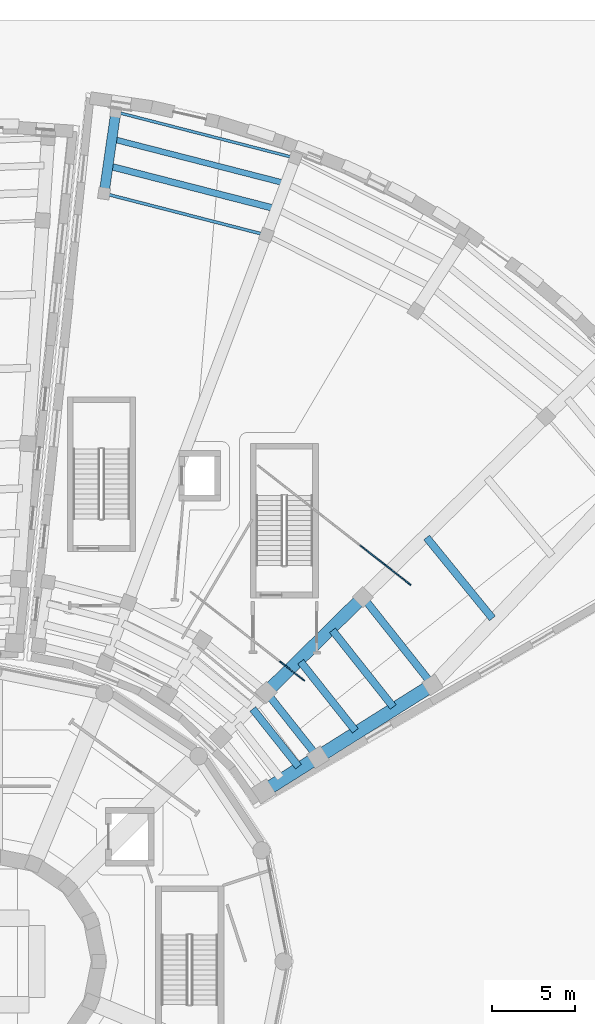
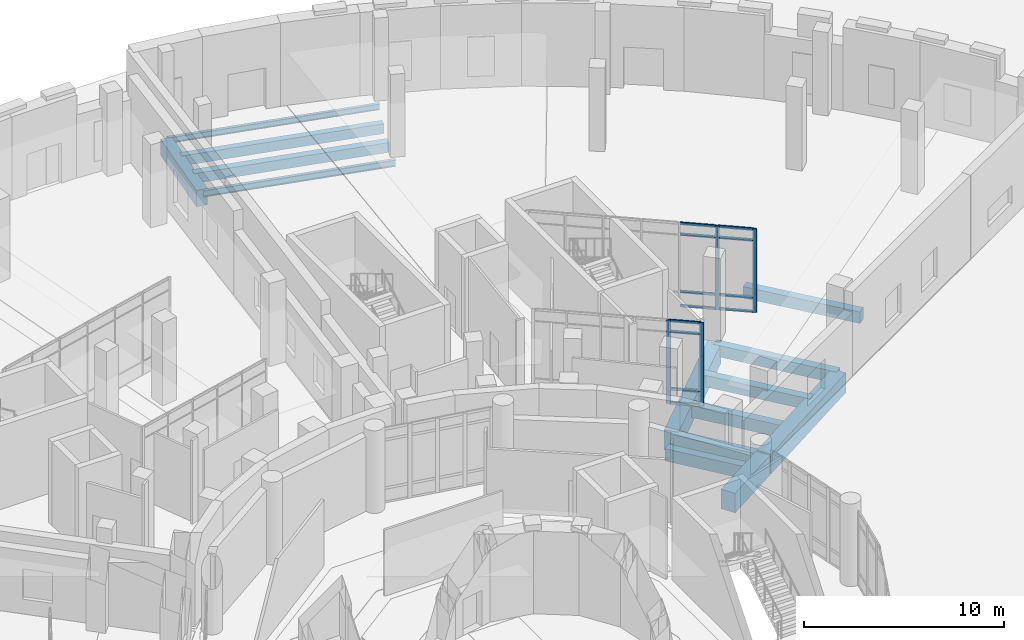
# One storey, part 27 of 74: 16 members, 14 beams, 2 elements without a shape of their own.
"""IFC4 building model written with IfcOpenShell, lengths in metres."""

from ifc_helpers import new_model, si_unit, direction, frame, origin, origin_2d, place, context, subcontext, project, spatial, rectangle, i_section, extrude, material, material_profile, profile_set, type_object, element, aggregate, save


model = new_model("IFC4")

# Units and contexts
model_context = context("Model", 3, precision=1e-05, world=origin(), true_north=direction((0.0, 1.0)))
body_context = subcontext(model_context, "Body", "Model", "MODEL_VIEW")
ifc_project = project(units=[si_unit("LENGTHUNIT", "METRE"), si_unit("AREAUNIT", "SQUARE_METRE"), si_unit("VOLUMEUNIT", "CUBIC_METRE"), si_unit("PLANEANGLEUNIT", "RADIAN"), si_unit("MASSUNIT", "GRAM", prefix="KILO")], contexts=[model_context])

# Site, building, storey
site_placement = place(None, origin())
site = spatial("IfcSite", under=ifc_project, at=site_placement, CompositionType="ELEMENT")
building_placement = place(site_placement, origin())
building = spatial("IfcBuilding", under=site, at=building_placement, Name="Soyqirgoq Riverine Aquarium", CompositionType="ELEMENT")
storey_placement = place(building_placement, origin())
storey = spatial("IfcBuildingStorey", under=building, at=storey_placement, Name="L01", CompositionType="ELEMENT", Elevation=0.0)

# Beams
ifc_material_1 = material(Name="Concrete C40/50", Category="concrete")
ifc_material_profile_1 = material_profile(ifc_material_1, rectangle(XDim=0.35009765625, YDim=0.60009765625, at=origin_2d()), Name="RC 350x600")
ifc_profile_set_1 = profile_set([ifc_material_profile_1], Name="Concrete C40/50")
beam_type_1 = type_object("IfcBeamType", Name="Beam_RC_350x600", PredefinedType="JOIST", material=ifc_profile_set_1)
beam_1_placement = place(storey_placement, frame((73.444580078125, 103.806396484375, -0.64990234375), z_axis=(-0.968580573977, 0.248699963237, 0.0), x_axis=(-0.248699963237, -0.968580573977, 0.0)))
element("IfcBeam", 1, at=beam_1_placement, inside=storey, type_object=beam_type_1, Name="V5 L01 Secondary Floor Joist 0793", PredefinedType="JOIST", context=body_context, shape_type="SweptSolid", body=[
    extrude(rectangle(XDim=0.35009765625, YDim=0.60009765625, at=origin_2d()), origin(), (0.0, 0.0, 1.0), 10.5126953125),
])
ifc_material_2 = material(Name="Concrete C40/50", Category="concrete")
ifc_material_profile_2 = material_profile(ifc_material_2, rectangle(XDim=0.39990234375, YDim=0.60009765625, at=origin_2d()), Name="RC 400x600")
ifc_profile_set_2 = profile_set([ifc_material_profile_2], Name="Concrete C40/50")
beam_type_2 = type_object("IfcBeamType", Name="Beam_RC_400x600", PredefinedType="JOIST", material=ifc_profile_set_2)
beam_2_placement = place(storey_placement, frame((72.869873046875, 102.27734375, -0.64990234375), z_axis=(-0.968577827691, 0.24871065861, 0.0), x_axis=(-0.24871065861, -0.968577827691, 0.0)))
element("IfcBeam", 2, at=beam_2_placement, inside=storey, type_object=beam_type_2, Name="V5 L01 Secondary Floor Joist 0792", PredefinedType="JOIST", context=body_context, shape_type="SweptSolid", body=[
    extrude(rectangle(XDim=0.39990234375, YDim=0.60009765625, at=origin_2d()), origin(), (0.0, 0.0, 1.0), 10.159912109375),
])
ifc_material_3 = material(Name="Concrete C40/50", Category="concrete")
ifc_material_profile_3 = material_profile(ifc_material_3, rectangle(XDim=0.449951171875, YDim=0.699951171875, at=origin_2d()), Name="RC 450x700")
ifc_profile_set_3 = profile_set([ifc_material_profile_3], Name="Concrete C40/50")
beam_type_3 = type_object("IfcBeamType", Name="Beam_RC_450x700", PredefinedType="BEAM", material=ifc_profile_set_3)
beam_3_placement = place(storey_placement, frame((80.038330078125, 72.30224609375, -0.699951171875), z_axis=(-0.621137956327, 0.783701243593, 0.0), x_axis=(-0.783701243593, -0.621137956327, 0.0)))
element("IfcBeam", 3, at=beam_3_placement, inside=storey, type_object=beam_type_3, Name="V5 L01 Secondary Floor Joist 0778", PredefinedType="BEAM", context=body_context, shape_type="SweptSolid", body=[
    extrude(rectangle(XDim=0.449951171875, YDim=0.699951171875, at=origin_2d()), origin(), (0.0, 0.0, 1.0), 5.878173828125),
])
beam_4_placement = place(storey_placement, frame((82.3701171875, 73.664794921875, -0.699951171875), z_axis=(-0.621132353324, 0.783705684332, 0.0), x_axis=(-0.783705684332, -0.621132353324, 0.0)))
element("IfcBeam", 4, at=beam_4_placement, inside=storey, type_object=beam_type_3, Name="V5 L01 Wedge Chord Beam 0779", PredefinedType="BEAM", context=body_context, shape_type="SweptSolid", body=[
    extrude(rectangle(XDim=0.449951171875, YDim=0.699951171875, at=origin_2d()), origin(), (0.0, 0.0, 1.0), 6.63916015625),
])
beam_5_placement = place(storey_placement, frame((86.00341796875, 77.626953125, -0.699951171875), z_axis=(-0.631614001709, 0.775283014676, 0.0), x_axis=(-0.775283014676, -0.631614001709, 0.0)))
element("IfcBeam", 5, at=beam_5_placement, inside=storey, type_object=beam_type_3, Name="V5 L01 Secondary Floor Joist 0780", PredefinedType="BEAM", context=body_context, shape_type="SweptSolid", body=[
    extrude(rectangle(XDim=0.449951171875, YDim=0.699951171875, at=origin_2d()), origin(), (0.0, 0.0, 1.0), 6.268798828125),
])
ifc_material_4 = material(Name="Concrete C40/50", Category="concrete")
ifc_material_profile_4 = material_profile(ifc_material_4, rectangle(XDim=0.449951171875, YDim=0.75, at=origin_2d()), Name="RC 450x750")
ifc_profile_set_4 = profile_set([ifc_material_profile_4], Name="Concrete C40/50")
beam_type_4 = type_object("IfcBeamType", Name="Beam_RC_450x750", PredefinedType="BEAM", material=ifc_profile_set_4)
beam_6_placement = place(storey_placement, frame((74.3427734375, 68.715576171875, -0.72509765625), z_axis=(-0.621169249928, 0.783676440213, 0.0), x_axis=(-0.783676440213, -0.621169249928, 0.0)))
element("IfcBeam", 6, at=beam_6_placement, inside=storey, type_object=beam_type_4, Name="V5 L01 Secondary Floor Joist 0766", PredefinedType="BEAM", context=body_context, shape_type="SweptSolid", body=[
    extrude(rectangle(XDim=0.449951171875, YDim=0.75, at=origin_2d()), origin(), (0.0, 0.0, 1.0), 4.42431640625),
])
beam_7_placement = place(storey_placement, frame((75.4736328125, 69.322021484375, -0.72509765625), z_axis=(-0.62112455544, 0.783711864546, 0.0), x_axis=(-0.783711864546, -0.62112455544, 0.0)))
element("IfcBeam", 7, at=beam_7_placement, inside=storey, type_object=beam_type_4, Name="V5 L01 Wedge Chord Beam 0773", PredefinedType="BEAM", context=body_context, shape_type="SweptSolid", body=[
    extrude(rectangle(XDim=0.449951171875, YDim=0.75, at=origin_2d()), origin(), (0.0, 0.0, 1.0), 4.878662109375),
])
beam_8_placement = place(storey_placement, frame((77.7626953125, 70.869140625, -0.72509765625), z_axis=(-0.621170302236, 0.783675606115, 0.0), x_axis=(-0.783675606115, -0.621170302236, 0.0)))
element("IfcBeam", 8, at=beam_8_placement, inside=storey, type_object=beam_type_4, Name="V5 L01 Secondary Floor Joist 0777", PredefinedType="BEAM", context=body_context, shape_type="SweptSolid", body=[
    extrude(rectangle(XDim=0.449951171875, YDim=0.75, at=origin_2d()), origin(), (0.0, 0.0, 1.0), 5.29736328125),
])

# Curtain wall, members
ifc_material_5 = material(Name="Cast polymethyl methacrylate PMMA Habitat Viewing Glazing", Category="glass")
curtain_wall_type = type_object("IfcCurtainWallType", Name="CW_Interior_TankVitrine", PredefinedType="NOTDEFINED", material=ifc_material_5)
curtain_wall_1_placement = place(storey_placement, origin())
curtain_wall_1 = element("IfcCurtainWall", 9, at=curtain_wall_1_placement, inside=storey, type_object=curtain_wall_type, Name="V5 L01 Curtain Wall 157", PredefinedType="NOTDEFINED")
ifc_material_6 = material(Name="Anodised aluminium 6063-T6", Category="aluminium")
ifc_material_profile_5 = material_profile(ifc_material_6, rectangle(XDim=0.080078125, YDim=0.219970703125, at=origin_2d()), Name="ALU-M 80x220")
ifc_profile_set_5 = profile_set([ifc_material_profile_5], Name="Anodised aluminium 6063-T6")
member_type_1 = type_object("IfcMemberType", Name="CWMullion_80x220", PredefinedType="MULLION", material=ifc_profile_set_5)
member_1_placement = place(storey_placement, frame((74.616943359375, 73.9482421875, 0.0), z_axis=(0.0, 0.0, 1.0), x_axis=(-0.615661060826, -0.788011077449, 0.0)))
member_1 = element("IfcMember", 10, at=member_1_placement, type_object=member_type_1, Name="CW-07 mullion 1", PredefinedType="MULLION", context=body_context, shape_type="SweptSolid", body=[
    extrude(rectangle(XDim=0.080078125, YDim=0.219970703125, at=origin_2d()), origin(), (0.0, 0.0, 1.0), 5.10009765625),
])
member_2_placement = place(storey_placement, frame((73.300537109375, 74.976806640625, 0.0), z_axis=(0.0, 0.0, 1.0), x_axis=(-0.615661060826, -0.788011077449, 0.0)))
member_2 = element("IfcMember", 11, at=member_2_placement, type_object=member_type_1, Name="CW-07 mullion 2", PredefinedType="MULLION", context=body_context, shape_type="SweptSolid", body=[
    extrude(rectangle(XDim=0.080078125, YDim=0.219970703125, at=origin_2d()), origin(), (0.0, 0.0, 1.0), 5.10009765625),
])

curtain_wall_2_placement = place(storey_placement, origin())
curtain_wall_2 = element("IfcCurtainWall", 12, at=curtain_wall_2_placement, inside=storey, type_object=curtain_wall_type, Name="V5 L01 Curtain Wall 158", PredefinedType="NOTDEFINED")
member_3_placement = place(storey_placement, frame((81.008056640625, 79.702880859375, 0.0), z_axis=(0.0, 0.0, 1.0), x_axis=(-0.615655141832, -0.788015701833, 0.0)))
member_3 = element("IfcMember", 13, at=member_3_placement, type_object=member_type_1, Name="CW-07 mullion 1", PredefinedType="MULLION", context=body_context, shape_type="SweptSolid", body=[
    extrude(rectangle(XDim=0.080078125, YDim=0.219970703125, at=origin_2d()), origin(), (0.0, 0.0, 1.0), 5.10009765625),
])
member_4_placement = place(storey_placement, frame((79.524169921875, 80.862060546875, 0.0), z_axis=(0.0, 0.0, 1.0), x_axis=(-0.615655141832, -0.788015701833, 0.0)))
member_4 = element("IfcMember", 14, at=member_4_placement, type_object=member_type_1, Name="CW-07 mullion 2", PredefinedType="MULLION", context=body_context, shape_type="SweptSolid", body=[
    extrude(rectangle(XDim=0.080078125, YDim=0.219970703125, at=origin_2d()), origin(), (0.0, 0.0, 1.0), 5.10009765625),
])

# Member
ifc_material_7 = material(Name="Anodised aluminium 6063-T6", Category="aluminium")
ifc_material_profile_6 = material_profile(ifc_material_7, rectangle(XDim=0.074951171875, YDim=0.14990234375, at=origin_2d()), Name="ALU-T 75x150")
ifc_profile_set_6 = profile_set([ifc_material_profile_6], Name="Anodised aluminium 6063-T6")
member_type_2 = type_object("IfcMemberType", Name="CWTransom_75x150", PredefinedType="USERDEFINED", material=ifc_profile_set_6)
member_5_placement = place(storey_placement, frame((74.58544921875, 73.972900390625, 0.03759765625), z_axis=(-0.788019719657, 0.615649999132, 0.0), x_axis=(-0.615649999132, -0.788019719657, 0.0)))
member_5 = element("IfcMember", 15, at=member_5_placement, type_object=member_type_2, Name="CW-07 transom 1.1", ObjectType="TRANSOM", PredefinedType="USERDEFINED", context=body_context, shape_type="SweptSolid", body=[
    extrude(rectangle(XDim=0.074951171875, YDim=0.14990234375, at=origin_2d()), origin(), (0.0, 0.0, 1.0), 1.590576171875),
])

member_6_placement = place(storey_placement, frame((74.58544921875, 73.972900390625, 0.89990234375), z_axis=(-0.788019719657, 0.615649999132, 0.0), x_axis=(-0.615649999132, -0.788019719657, 0.0)))
member_6 = element("IfcMember", 16, at=member_6_placement, type_object=member_type_2, Name="CW-07 transom 1.2", ObjectType="TRANSOM", PredefinedType="USERDEFINED", context=body_context, shape_type="SweptSolid", body=[
    extrude(rectangle(XDim=0.074951171875, YDim=0.14990234375, at=origin_2d()), origin(), (0.0, 0.0, 1.0), 1.590576171875),
])

member_7_placement = place(storey_placement, frame((74.58544921875, 73.972900390625, 4.39990234375), z_axis=(-0.788019719657, 0.615649999132, 0.0), x_axis=(-0.615649999132, -0.788019719657, 0.0)))
member_7 = element("IfcMember", 17, at=member_7_placement, type_object=member_type_2, Name="CW-07 transom 1.3", ObjectType="TRANSOM", PredefinedType="USERDEFINED", context=body_context, shape_type="SweptSolid", body=[
    extrude(rectangle(XDim=0.074951171875, YDim=0.14990234375, at=origin_2d()), origin(), (0.0, 0.0, 1.0), 1.590576171875),
])

member_8_placement = place(storey_placement, frame((74.58544921875, 73.972900390625, 5.0625), z_axis=(-0.788019719657, 0.615649999132, 0.0), x_axis=(-0.615649999132, -0.788019719657, 0.0)))
member_8 = element("IfcMember", 18, at=member_8_placement, type_object=member_type_2, Name="CW-07 transom 1.4", ObjectType="TRANSOM", PredefinedType="USERDEFINED", context=body_context, shape_type="SweptSolid", body=[
    extrude(rectangle(XDim=0.074951171875, YDim=0.14990234375, at=origin_2d()), origin(), (0.0, 0.0, 1.0), 1.590576171875),
])

aggregate(curtain_wall_1, [member_1, member_2, member_5, member_6, member_7, member_8])

member_9_placement = place(storey_placement, frame((80.9765625, 79.7275390625, 0.03759765625), z_axis=(-0.788016162741, 0.615654551887, 0.0), x_axis=(-0.615654551887, -0.788016162741, 0.0)))
member_9 = element("IfcMember", 19, at=member_9_placement, type_object=member_type_2, Name="CW-07 transom 1.1", ObjectType="TRANSOM", PredefinedType="USERDEFINED", context=body_context, shape_type="SweptSolid", body=[
    extrude(rectangle(XDim=0.074951171875, YDim=0.14990234375, at=origin_2d()), origin(), (0.0, 0.0, 1.0), 1.80322265625),
])

member_10_placement = place(storey_placement, frame((80.9765625, 79.7275390625, 0.89990234375), z_axis=(-0.788016162741, 0.615654551887, 0.0), x_axis=(-0.615654551887, -0.788016162741, 0.0)))
member_10 = element("IfcMember", 20, at=member_10_placement, type_object=member_type_2, Name="CW-07 transom 1.2", ObjectType="TRANSOM", PredefinedType="USERDEFINED", context=body_context, shape_type="SweptSolid", body=[
    extrude(rectangle(XDim=0.074951171875, YDim=0.14990234375, at=origin_2d()), origin(), (0.0, 0.0, 1.0), 1.80322265625),
])

member_11_placement = place(storey_placement, frame((80.9765625, 79.7275390625, 4.39990234375), z_axis=(-0.788016162741, 0.615654551887, 0.0), x_axis=(-0.615654551887, -0.788016162741, 0.0)))
member_11 = element("IfcMember", 21, at=member_11_placement, type_object=member_type_2, Name="CW-07 transom 1.3", ObjectType="TRANSOM", PredefinedType="USERDEFINED", context=body_context, shape_type="SweptSolid", body=[
    extrude(rectangle(XDim=0.074951171875, YDim=0.14990234375, at=origin_2d()), origin(), (0.0, 0.0, 1.0), 1.80322265625),
])

member_12_placement = place(storey_placement, frame((80.9765625, 79.7275390625, 5.0625), z_axis=(-0.788016162741, 0.615654551887, 0.0), x_axis=(-0.615654551887, -0.788016162741, 0.0)))
member_12 = element("IfcMember", 22, at=member_12_placement, type_object=member_type_2, Name="CW-07 transom 1.4", ObjectType="TRANSOM", PredefinedType="USERDEFINED", context=body_context, shape_type="SweptSolid", body=[
    extrude(rectangle(XDim=0.074951171875, YDim=0.14990234375, at=origin_2d()), origin(), (0.0, 0.0, 1.0), 1.80322265625),
])

member_13_placement = place(storey_placement, frame((79.492431640625, 80.88671875, 0.03759765625), z_axis=(-0.788002283226, 0.615672316765, 0.0), x_axis=(-0.615672316765, -0.788002283226, 0.0)))
member_13 = element("IfcMember", 23, at=member_13_placement, type_object=member_type_2, Name="CW-07 transom 2.1", ObjectType="TRANSOM", PredefinedType="USERDEFINED", context=body_context, shape_type="SweptSolid", body=[
    extrude(rectangle(XDim=0.074951171875, YDim=0.14990234375, at=origin_2d()), origin(), (0.0, 0.0, 1.0), 1.843017578125),
])

member_14_placement = place(storey_placement, frame((79.492431640625, 80.88671875, 0.89990234375), z_axis=(-0.788002283226, 0.615672316765, 0.0), x_axis=(-0.615672316765, -0.788002283226, 0.0)))
member_14 = element("IfcMember", 24, at=member_14_placement, type_object=member_type_2, Name="CW-07 transom 2.2", ObjectType="TRANSOM", PredefinedType="USERDEFINED", context=body_context, shape_type="SweptSolid", body=[
    extrude(rectangle(XDim=0.074951171875, YDim=0.14990234375, at=origin_2d()), origin(), (0.0, 0.0, 1.0), 1.843017578125),
])

member_15_placement = place(storey_placement, frame((79.492431640625, 80.88671875, 4.39990234375), z_axis=(-0.788002283226, 0.615672316765, 0.0), x_axis=(-0.615672316765, -0.788002283226, 0.0)))
member_15 = element("IfcMember", 25, at=member_15_placement, type_object=member_type_2, Name="CW-07 transom 2.3", ObjectType="TRANSOM", PredefinedType="USERDEFINED", context=body_context, shape_type="SweptSolid", body=[
    extrude(rectangle(XDim=0.074951171875, YDim=0.14990234375, at=origin_2d()), origin(), (0.0, 0.0, 1.0), 1.843017578125),
])

member_16_placement = place(storey_placement, frame((79.492431640625, 80.88671875, 5.0625), z_axis=(-0.788002283226, 0.615672316765, 0.0), x_axis=(-0.615672316765, -0.788002283226, 0.0)))
member_16 = element("IfcMember", 26, at=member_16_placement, type_object=member_type_2, Name="CW-07 transom 2.4", ObjectType="TRANSOM", PredefinedType="USERDEFINED", context=body_context, shape_type="SweptSolid", body=[
    extrude(rectangle(XDim=0.074951171875, YDim=0.14990234375, at=origin_2d()), origin(), (0.0, 0.0, 1.0), 1.843017578125),
])

aggregate(curtain_wall_2, [member_3, member_4, member_9, member_10, member_11, member_12, member_13, member_14, member_15, member_16])

# Beams
ifc_material_8 = material(Name="Concrete C40/50", Category="concrete")
ifc_material_profile_7 = material_profile(ifc_material_8, rectangle(XDim=0.60009765625, YDim=1.0, at=origin_2d()), Name="RC 600x1000")
ifc_profile_set_7 = profile_set([ifc_material_profile_7], Name="Concrete C40/50")
beam_type_5 = type_object("IfcBeamType", Name="Girder_RC_600x1000", PredefinedType="BEAM", material=ifc_profile_set_7)
beam_9_placement = place(storey_placement, frame((62.66064453125, 103.22265625, -0.85009765625), z_axis=(0.142661605839, 0.989771522231, 0.0), x_axis=(-0.989771522231, 0.142661605839, 0.0)))
element("IfcBeam", 27, at=beam_9_placement, inside=storey, type_object=beam_type_5, Name="V5 L01 Wedge Radial Girder 0760", PredefinedType="BEAM", context=body_context, shape_type="SweptSolid", body=[
    extrude(rectangle(XDim=0.60009765625, YDim=1.0, at=origin_2d()), origin(), (0.0, 0.0, 1.0), 4.849853515625),
])
ifc_material_9 = material(Name="Concrete C40/50", Category="concrete")
ifc_material_profile_8 = material_profile(ifc_material_9, rectangle(XDim=0.75, YDim=1.199951171875, at=origin_2d()), Name="RC 750x1200")
ifc_profile_set_8 = profile_set([ifc_material_profile_8], Name="Concrete C40/50")
beam_type_6 = type_object("IfcBeamType", Name="Girder_RC_750x1200", PredefinedType="BEAM", material=ifc_profile_set_8)
beam_10_placement = place(storey_placement, frame((72.44775390625, 73.2197265625, -0.949951171875), z_axis=(0.712032910535, 0.702146091861, 0.0), x_axis=(-0.702146091861, 0.712032910535, 0.0)))
element("IfcBeam", 28, at=beam_10_placement, inside=storey, type_object=beam_type_6, Name="V5 L01 Wedge Radial Girder 0751", PredefinedType="BEAM", context=body_context, shape_type="SweptSolid", body=[
    extrude(rectangle(XDim=0.75, YDim=1.199951171875, at=origin_2d()), origin(), (0.0, 0.0, 1.0), 8.050048828125),
])
ifc_material_10 = material(Name="Concrete C40/50", Category="concrete")
ifc_material_profile_9 = material_profile(ifc_material_10, rectangle(XDim=0.800048828125, YDim=1.199951171875, at=origin_2d()), Name="RC 800x1200")
ifc_profile_set_9 = profile_set([ifc_material_profile_9], Name="Concrete C40/50")
beam_type_7 = type_object("IfcBeamType", Name="Girder_RC_800x1200", PredefinedType="BEAM", material=ifc_profile_set_9)
beam_11_placement = place(storey_placement, frame((72.289306640625, 67.2578125, -0.949951171875), z_axis=(0.846182823689, 0.53289269923, 0.0), x_axis=(-0.53289269923, 0.846182823689, 0.0)))
element("IfcBeam", 29, at=beam_11_placement, inside=storey, type_object=beam_type_7, Name="V5 L01 Wedge Radial Girder 0746", PredefinedType="BEAM", context=body_context, shape_type="SweptSolid", body=[
    extrude(rectangle(XDim=0.800048828125, YDim=1.199951171875, at=origin_2d()), origin(), (0.0, 0.0, 1.0), 3.75),
])
beam_12_placement = place(storey_placement, frame((75.547119140625, 69.309326171875, -0.949951171875), z_axis=(0.846182190255, 0.532893705063, 0.0), x_axis=(-0.532893705063, 0.846182190255, 0.0)))
element("IfcBeam", 30, at=beam_12_placement, inside=storey, type_object=beam_type_7, Name="V5 L01 Wedge Radial Girder 0747", PredefinedType="BEAM", context=body_context, shape_type="SweptSolid", body=[
    extrude(rectangle(XDim=0.800048828125, YDim=1.199951171875, at=origin_2d()), origin(), (0.0, 0.0, 1.0), 8.050048828125),
])
ifc_material_11 = material(Name="Structural steel S355", Category="steel")
ifc_material_profile_10 = material_profile(ifc_material_11, i_section(OverallWidth=0.169921875, OverallDepth=0.360107421875, WebThickness=0.008056640625, FlangeThickness=0.0126953125, FilletRadius=0.01806640625, at=origin_2d()), Name="IPE 360")
ifc_profile_set_10 = profile_set([ifc_material_profile_10], Name="Structural steel S355")
beam_type_8 = type_object("IfcBeamType", Name="Spandrel_Steel_IPE360", PredefinedType="SPANDREL", material=ifc_profile_set_10)
beam_13_placement = place(storey_placement, frame((74.106689453125, 105.31298828125, -0.530029296875), z_axis=(-0.968579543113, 0.248703977981, 0.0), x_axis=(-0.248703977981, -0.968579543113, 0.0)))
element("IfcBeam", 31, at=beam_13_placement, inside=storey, type_object=beam_type_8, Name="V5 L01 Wedge Chord Beam 0797", PredefinedType="SPANDREL", context=body_context, shape_type="SweptSolid", body=[
    extrude(i_section(OverallWidth=0.169921875, OverallDepth=0.360107421875, WebThickness=0.008056640625, FlangeThickness=0.0126953125, FilletRadius=0.01806640625, at=origin_2d()), origin(), (0.0, 0.0, 1.0), 11.045654296875),
])
ifc_material_12 = material(Name="Structural steel S355", Category="steel")
ifc_material_profile_11 = material_profile(ifc_material_12, i_section(OverallWidth=0.179931640625, OverallDepth=0.39990234375, WebThickness=0.008544921875, FlangeThickness=0.013427734375, FilletRadius=0.02099609375, at=origin_2d()), Name="IPE 400")
ifc_profile_set_11 = profile_set([ifc_material_profile_11], Name="Structural steel S355")
beam_type_9 = type_object("IfcBeamType", Name="Spandrel_Steel_IPE400", PredefinedType="SPANDREL", material=ifc_profile_set_11)
beam_14_placement = place(storey_placement, frame((72.364990234375, 100.6796875, -0.550048828125), z_axis=(-0.968585617633, 0.248680319515, 0.0), x_axis=(-0.248680319515, -0.968585617633, 0.0)))
element("IfcBeam", 32, at=beam_14_placement, inside=storey, type_object=beam_type_9, Name="V5 L01 Wedge Chord Beam 0785", PredefinedType="SPANDREL", context=body_context, shape_type="SweptSolid", body=[
    extrude(i_section(OverallWidth=0.179931640625, OverallDepth=0.39990234375, WebThickness=0.008544921875, FlangeThickness=0.013427734375, FilletRadius=0.02099609375, at=origin_2d()), origin(), (0.0, 0.0, 1.0), 9.9765625),
])

save(model, "model.ifc")
